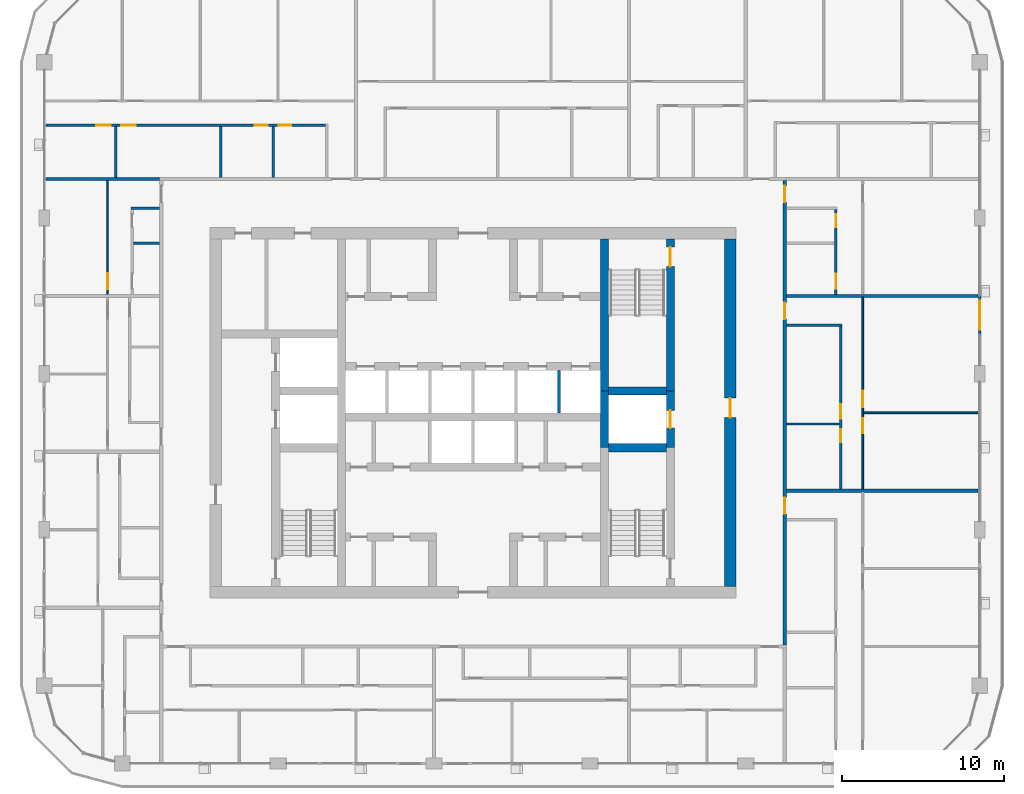
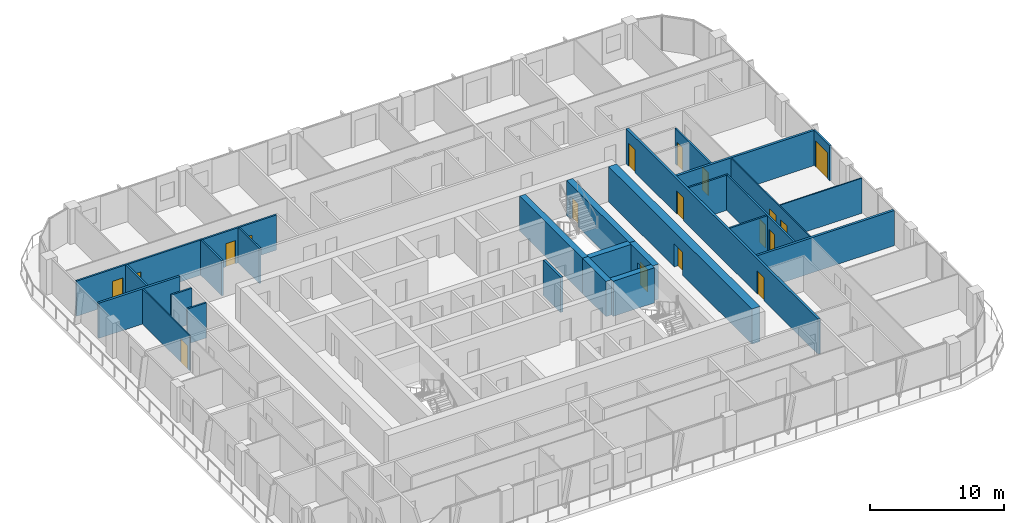
# One storey, part 13 of 23: 26 walls, 18 doors, 18 openings.
"""IFC4 building model written with IfcOpenShell, lengths in metres."""

from ifc_helpers import new_model, si_unit, direction, frame, frame_2d, origin, place, context, subcontext, project, spatial, rectangle, extrude, material, layer, layer_set, type_object, element, fill, save


model = new_model("IFC4")

# Units and contexts
model_context = context("Model", 3, precision=1e-05, world=origin(), true_north=direction((0.0, 1.0)))
body_context = subcontext(model_context, "Body", "Model", "MODEL_VIEW")
ifc_project = project(units=[si_unit("LENGTHUNIT", "METRE"), si_unit("AREAUNIT", "SQUARE_METRE"), si_unit("VOLUMEUNIT", "CUBIC_METRE"), si_unit("PLANEANGLEUNIT", "RADIAN"), si_unit("MASSUNIT", "GRAM", prefix="KILO")], contexts=[model_context])

# Site, building, storey
site_placement = place(None, origin())
site = spatial("IfcSite", under=ifc_project, at=site_placement, CompositionType="ELEMENT")
building_placement = place(site_placement, origin())
building = spatial("IfcBuilding", under=site, at=building_placement, Name="Madar Terraces", CompositionType="ELEMENT")
storey_placement = place(building_placement, frame((0.0, 0.0, 212.300048828125)))
storey = spatial("IfcBuildingStorey", under=building, at=storey_placement, Name="L55", CompositionType="ELEMENT", Elevation=212.300048828125)

# Walls
ifc_material_1 = material(Name="Concrete C60/75", Category="concrete")
ifc_layer_1 = layer(ifc_material_1, 0.5)
ifc_layer_set_1 = layer_set([ifc_layer_1], Name="Concrete C60/75 (CIW4 RC wall 500)")
wall_type_1 = type_object("IfcWallType", Name="CIW4 RC wall 500", PredefinedType="SHEAR", material=ifc_layer_set_1)
wall_1_placement = place(storey_placement, frame((39.300048828125, 24.25, 0.0), z_axis=(0.0, 0.0, 1.0), x_axis=(0.0, 1.0, 0.0)))
element("IfcWall", 1, at=wall_1_placement, inside=storey, type_object=wall_type_1, Name="CORE SHAFT WALL", PredefinedType="SHEAR", context=body_context, shape_type="SweptSolid", body=[
    extrude(rectangle(XDim=3.5, YDim=0.5, at=frame_2d((1.75, 0.0))), origin(), (0.0, 0.0, 1.0), 3.199951171875),
])
wall_2_placement = place(storey_placement, frame((39.300048828125, 27.75, 0.0), z_axis=(0.0, 0.0, 1.0), x_axis=(0.0, 1.0, 0.0)))
element("IfcWall", 2, at=wall_2_placement, inside=storey, type_object=wall_type_1, Name="CORE SHAFT WALL", PredefinedType="SHEAR", context=body_context, shape_type="SweptSolid", body=[
    extrude(rectangle(XDim=9.35009765625, YDim=0.5, at=frame_2d((4.675048828125, 0.0))), origin(), (0.0, 0.0, 1.0), 3.199951171875),
])

# Wall, opening, door
wall_3_placement = place(storey_placement, frame((43.35009765625, 24.25, 0.0), z_axis=(0.0, 0.0, 1.0), x_axis=(0.0, 1.0, 0.0)))
wall_3 = element("IfcWall", 3, at=wall_3_placement, inside=storey, type_object=wall_type_1, Name="CORE SHAFT WALL", PredefinedType="SHEAR", context=body_context, shape_type="SweptSolid", body=[
    extrude(rectangle(XDim=3.5, YDim=0.5, at=frame_2d((1.75, 0.0))), origin(), (0.0, 0.0, 1.0), 3.199951171875),
])
opening_1_placement = place(wall_3_placement, frame((1.199951171875, 0.0, 0.0)))
opening_1 = element("IfcOpeningElement", 4, at=opening_1_placement, cuts=wall_3, Name="Opening LD", PredefinedType="OPENING", context=body_context, shape_type="SweptSolid", body=[
    extrude(rectangle(XDim=1.10009765625, YDim=2.10009765625, at=frame_2d((0.550048828125, 1.050048828125))), frame((0.0, 0.260009765625, 0.0), z_axis=(0.0, -1.0, 0.0), x_axis=(1.0, 0.0, 0.0)), (0.0, 0.0, 1.0), 0.52001953125),
])
ifc_material_2 = material(Name="Stainless steel panel", Category="steel")
door_type_1 = type_object("IfcDoorType", Name="Lift landing door 1100 x 2100", OperationType="DOUBLE_DOOR_SLIDING", PredefinedType="DOOR", material=ifc_material_2)
door_1_placement = place(opening_1_placement, origin())
door_1 = element("IfcDoor", 5, at=door_1_placement, inside=storey, type_object=door_type_1, Name="LIFT LANDING DOOR", OperationType="DOUBLE_DOOR_SLIDING", OverallHeight=2.10009765625, OverallWidth=1.10009765625, PredefinedType="DOOR", context=body_context, shape_type="SweptSolid", body=[
    extrude(rectangle(XDim=1.10009765625, YDim=2.10009765625, at=frame_2d((0.550048828125, 1.050048828125))), frame((0.0, 0.02490234375, 0.0), z_axis=(0.0, -1.0, 0.0), x_axis=(1.0, 0.0, 0.0)), (0.0, 0.0, 1.0), 0.050048828125),
])
fill(opening_1, door_1)

wall_4_placement = place(storey_placement, frame((43.35009765625, 27.75, 0.0), z_axis=(0.0, 0.0, 1.0), x_axis=(0.0, 1.0, 0.0)))
wall_4 = element("IfcWall", 6, at=wall_4_placement, inside=storey, type_object=wall_type_1, Name="CORE SHAFT WALL", PredefinedType="SHEAR", context=body_context, shape_type="SweptSolid", body=[
    extrude(rectangle(XDim=9.35009765625, YDim=0.5, at=frame_2d((4.675048828125, 0.0))), origin(), (0.0, 0.0, 1.0), 3.199951171875),
])
opening_2_placement = place(wall_4_placement, frame((7.64990234375, 0.0, 0.0)))
opening_2 = element("IfcOpeningElement", 7, at=opening_2_placement, cuts=wall_4, Name="Opening SD1", PredefinedType="OPENING", context=body_context, shape_type="SweptSolid", body=[
    extrude(rectangle(XDim=1.199951171875, YDim=2.10009765625, at=frame_2d((0.60009765625, 1.050048828125))), frame((0.0, 0.260009765625, 0.0), z_axis=(0.0, -1.0, 0.0), x_axis=(1.0, 0.0, 0.0)), (0.0, 0.0, 1.0), 0.52001953125),
])
ifc_material_3 = material(Name="Steel door leaf", Category="steel")
door_type_2 = type_object("IfcDoorType", Name="Stair door 1200 x 2100", OperationType="NOTDEFINED", PredefinedType="DOOR", material=ifc_material_3)
door_2_placement = place(opening_2_placement, origin())
door_2 = element("IfcDoor", 8, at=door_2_placement, inside=storey, type_object=door_type_2, Name="STAIR DOOR", OperationType="SINGLE_SWING_LEFT", OverallHeight=2.10009765625, OverallWidth=1.199951171875, PredefinedType="DOOR", context=body_context, shape_type="SweptSolid", body=[
    extrude(rectangle(XDim=1.199951171875, YDim=2.10009765625, at=frame_2d((0.60009765625, 1.050048828125))), frame((0.0, 0.02490234375, 0.0), z_axis=(0.0, -1.0, 0.0), x_axis=(1.0, 0.0, 0.0)), (0.0, 0.0, 1.0), 0.050048828125),
])
fill(opening_2, door_2)

# Walls
for number, where, z_axis, x_axis, name in (
    (9, (39.550048828125, 24.25, 0.0), (0.0, 0.0, 1.0), (1.0, 0.0, 0.0), "CORE SHAFT WALL"),
    (10, (39.550048828125, 27.75, 0.0), (0.0, 0.0, 1.0), (1.0, 0.0, 0.0), "CORE SHAFT WALL"),
):
    element("IfcWall", number, at=place(storey_placement, frame(where, z_axis=z_axis, x_axis=x_axis)), inside=storey, type_object=wall_type_1, Name=name, PredefinedType="SHEAR", context=body_context, shape_type="SweptSolid", body=[
        extrude(rectangle(XDim=3.550048828125, YDim=0.5, at=frame_2d((1.77490234375, 0.0))), origin(), (0.0, 0.0, 1.0), 3.199951171875),
    ])

# Wall, opening, door
ifc_material_4 = material(Name="Concrete C60/75", Category="concrete")
ifc_layer_2 = layer(ifc_material_4, 0.699951171875)
ifc_layer_set_2 = layer_set([ifc_layer_2], Name="Concrete C60/75 (CRW4 RC wall 700)")
wall_type_2 = type_object("IfcWallType", Name="CRW4 RC wall 700", PredefinedType="SHEAR", material=ifc_layer_set_2)
wall_5_placement = place(storey_placement, frame((47.050048828125, 15.699951171875, 0.0), z_axis=(0.0, 0.0, 1.0), x_axis=(0.0, 1.0, 0.0)))
wall_5 = element("IfcWall", 11, at=wall_5_placement, inside=storey, type_object=wall_type_2, Name="CORE OUTER WALL", PredefinedType="SHEAR", context=body_context, shape_type="SweptSolid", body=[
    extrude(rectangle(XDim=21.400146484375, YDim=0.699951171875, at=frame_2d((10.7001953125, 0.0))), origin(), (0.0, 0.0, 1.0), 3.199951171875),
])
opening_3_placement = place(wall_5_placement, frame((10.39990234375, 0.0, 0.0)))
opening_3 = element("IfcOpeningElement", 12, at=opening_3_placement, cuts=wall_5, Name="Opening SD1", PredefinedType="OPENING", context=body_context, shape_type="SweptSolid", body=[
    extrude(rectangle(XDim=1.199951171875, YDim=2.10009765625, at=frame_2d((0.60009765625, 1.050048828125))), frame((0.0, 0.35986328125, 0.0), z_axis=(0.0, -1.0, 0.0), x_axis=(1.0, 0.0, 0.0)), (0.0, 0.0, 1.0), 0.719970703125),
])
door_3_placement = place(opening_3_placement, origin())
door_3 = element("IfcDoor", 13, at=door_3_placement, inside=storey, type_object=door_type_2, Name="STAIR DOOR", OperationType="SINGLE_SWING_LEFT", OverallHeight=2.10009765625, OverallWidth=1.199951171875, PredefinedType="DOOR", context=body_context, shape_type="SweptSolid", body=[
    extrude(rectangle(XDim=1.199951171875, YDim=2.10009765625, at=frame_2d((0.60009765625, 1.050048828125))), frame((0.0, 0.02490234375, 0.0), z_axis=(0.0, -1.0, 0.0), x_axis=(1.0, 0.0, 0.0)), (0.0, 0.0, 1.0), 0.050048828125),
])
fill(opening_3, door_3)

# Wall
ifc_material_5 = material(Name="Concrete C40/50", Category="concrete")
ifc_layer_3 = layer(ifc_material_5, 0.199951171875)
ifc_layer_set_3 = layer_set([ifc_layer_3], Name="Core shaft dividing wall 200 C40/50")
wall_type_3 = type_object("IfcWallType", Name="Core shaft dividing wall 200 C40/50", PredefinedType="SOLIDWALL", material=ifc_layer_set_3)
wall_6_placement = place(storey_placement, frame((36.5, 26.39990234375, 0.0), z_axis=(0.0, 0.0, 1.0), x_axis=(0.0, 1.0, 0.0)))
element("IfcWall", 14, at=wall_6_placement, inside=storey, type_object=wall_type_3, Name="SHAFT DIVIDING WALL", PredefinedType="SOLIDWALL", context=body_context, shape_type="SweptSolid", body=[
    extrude(rectangle(XDim=2.60009765625, YDim=0.199951171875, at=frame_2d((1.300048828125, 0.0))), origin(), (0.0, 0.0, 1.0), 3.199951171875),
])

# Wall, opening, door
ifc_material_6 = material(Name="Aluminium composite panel, black, over insulated backing", Category="aluminium")
ifc_layer_4 = layer(ifc_material_6, 0.14990234375)
ifc_layer_set_4 = layer_set([ifc_layer_4], Name="Facade bay panel 150")
wall_type_4 = type_object("IfcWallType", Name="Facade bay panel 150", PredefinedType="SOLIDWALL", material=ifc_layer_set_4)
wall_7_placement = place(storey_placement, frame((62.39990234375, 31.199951171875, 0.0), z_axis=(0.0, 0.0, 1.0), x_axis=(0.0, 1.0, 0.0)))
wall_7 = element("IfcWall", 15, at=wall_7_placement, inside=storey, type_object=wall_type_4, Name="Facade bay panel", PredefinedType="SOLIDWALL", context=body_context, shape_type="SweptSolid", body=[
    extrude(rectangle(XDim=2.400146484375, YDim=0.14990234375, at=frame_2d((1.2001953125, 0.0))), origin(), (0.0, 0.0, 1.0), 3.199951171875),
])
opening_4_placement = place(wall_7_placement, frame((0.300048828125, 0.0, 0.0)))
opening_4 = element("IfcOpeningElement", 16, at=opening_4_placement, cuts=wall_7, Name="Opening ED1", PredefinedType="OPENING", context=body_context, shape_type="SweptSolid", body=[
    extrude(rectangle(XDim=1.800048828125, YDim=2.39990234375, at=frame_2d((0.89990234375, 1.199951171875))), frame((0.0, 0.0849609375, 0.0), z_axis=(0.0, -1.0, 0.0), x_axis=(1.0, 0.0, 0.0)), (0.0, 0.0, 1.0), 0.169921875),
])
ifc_material_7 = material(Name="Glass, clear, with black aluminium frame", Category="aluminium")
door_type_3 = type_object("IfcDoorType", Name="Balcony and terrace sliding door 1800 x 2400", OperationType="SLIDING_TO_LEFT", PredefinedType="DOOR", material=ifc_material_7)
door_4_placement = place(opening_4_placement, origin())
door_4 = element("IfcDoor", 17, at=door_4_placement, inside=storey, type_object=door_type_3, Name="Balcony door", OperationType="SLIDING_TO_RIGHT", OverallHeight=2.39990234375, OverallWidth=1.800048828125, PredefinedType="DOOR", context=body_context, shape_type="SweptSolid", body=[
    extrude(rectangle(XDim=1.800048828125, YDim=2.39990234375, at=frame_2d((0.89990234375, 1.199951171875))), frame((0.0, 0.02490234375, 0.0), z_axis=(0.0, -1.0, 0.0), x_axis=(1.0, 0.0, 0.0)), (0.0, 0.0, 1.0), 0.050048828125),
])
fill(opening_4, door_4)

# Wall
ifc_material_8 = material(Name="Gypsum board on steel studs", Category="steel")
ifc_layer_5 = layer(ifc_material_8, 0.10009765625)
ifc_layer_set_5 = layer_set([ifc_layer_5], Name="Flat partition 100")
wall_type_5 = type_object("IfcWallType", Name="Flat partition 100", PredefinedType="PARTITIONING", material=ifc_layer_set_5)
wall_8_placement = place(storey_placement, frame((55.25, 26.39990234375, 0.0), z_axis=(0.0, 0.0, 1.0), x_axis=(1.0, 0.0, 0.0)))
element("IfcWall", 18, at=wall_8_placement, inside=storey, type_object=wall_type_5, Name="Flat partition 100", PredefinedType="PARTITIONING", context=body_context, shape_type="SweptSolid", body=[
    extrude(rectangle(XDim=7.050048828125, YDim=0.10009765625, at=frame_2d((3.52490234375, 0.0))), origin(), (0.0, 0.0, 1.0), 3.199951171875),
])

# Wall, openings, doors
wall_9_placement = place(storey_placement, frame((55.199951171875, 33.5, 0.0), z_axis=(0.0, 0.0, 1.0), x_axis=(0.0, -1.0, 0.0)))
wall_9 = element("IfcWall", 19, at=wall_9_placement, inside=storey, type_object=wall_type_5, Name="Flat partition 100", PredefinedType="PARTITIONING", context=body_context, shape_type="SweptSolid", body=[
    extrude(rectangle(XDim=11.800048828125, YDim=0.10009765625, at=frame_2d((5.89990234375, 0.0))), origin(), (0.0, 0.0, 1.0), 3.199951171875),
])
opening_5_placement = place(wall_9_placement, frame((5.75, 0.0, 0.0)))
opening_5 = element("IfcOpeningElement", 20, at=opening_5_placement, cuts=wall_9, Name="Opening D3", PredefinedType="OPENING", context=body_context, shape_type="SweptSolid", body=[
    extrude(rectangle(XDim=1.0, YDim=2.10009765625, at=frame_2d((0.5, 1.050048828125))), frame((0.0, 0.06005859375, 0.0), z_axis=(0.0, -1.0, 0.0), x_axis=(1.0, 0.0, 0.0)), (0.0, 0.0, 1.0), 0.1201171875),
])
opening_6_placement = place(wall_9_placement, frame((7.449951171875, 0.0, 0.0)))
opening_6 = element("IfcOpeningElement", 21, at=opening_6_placement, cuts=wall_9, Name="Opening D2", PredefinedType="OPENING", context=body_context, shape_type="SweptSolid", body=[
    extrude(rectangle(XDim=0.89990234375, YDim=2.10009765625, at=frame_2d((0.449951171875, 1.050048828125))), frame((0.0, 0.06005859375, 0.0), z_axis=(0.0, -1.0, 0.0), x_axis=(1.0, 0.0, 0.0)), (0.0, 0.0, 1.0), 0.1201171875),
])
ifc_material_9 = material(Name="Timber door leaf", Category="wood")
door_type_4 = type_object("IfcDoorType", Name="Flat living room door 1000", OperationType="NOTDEFINED", PredefinedType="DOOR", material=ifc_material_9)
door_5_placement = place(opening_5_placement, origin())
door_5 = element("IfcDoor", 22, at=door_5_placement, inside=storey, type_object=door_type_4, Name="Flat living room door 1000", OperationType="SINGLE_SWING_RIGHT", OverallHeight=2.10009765625, OverallWidth=1.0, PredefinedType="DOOR", context=body_context, shape_type="SweptSolid", body=[
    extrude(rectangle(XDim=1.0, YDim=2.10009765625, at=frame_2d((0.5, 1.050048828125))), frame((0.0, 0.02490234375, 0.0), z_axis=(0.0, -1.0, 0.0), x_axis=(1.0, 0.0, 0.0)), (0.0, 0.0, 1.0), 0.050048828125),
])
fill(opening_5, door_5)
ifc_material_10 = material(Name="Timber door leaf", Category="wood")
door_type_5 = type_object("IfcDoorType", Name="Flat room door 900", OperationType="NOTDEFINED", PredefinedType="DOOR", material=ifc_material_10)
door_6_placement = place(opening_6_placement, origin())
door_6 = element("IfcDoor", 23, at=door_6_placement, inside=storey, type_object=door_type_5, Name="Flat room door 900", OperationType="SINGLE_SWING_LEFT", OverallHeight=2.10009765625, OverallWidth=0.89990234375, PredefinedType="DOOR", context=body_context, shape_type="SweptSolid", body=[
    extrude(rectangle(XDim=0.89990234375, YDim=2.10009765625, at=frame_2d((0.449951171875, 1.050048828125))), frame((0.0, 0.02490234375, 0.0), z_axis=(0.0, -1.0, 0.0), x_axis=(1.0, 0.0, 0.0)), (0.0, 0.0, 1.0), 0.050048828125),
])
fill(opening_6, door_6)

# Wall, opening, door
wall_10_placement = place(storey_placement, frame((8.699951171875, 33.699951171875, 0.0), z_axis=(0.0, 0.0, 1.0), x_axis=(0.0, 1.0, 0.0)))
wall_10 = element("IfcWall", 24, at=wall_10_placement, inside=storey, type_object=wall_type_5, Name="Flat partition 100", PredefinedType="PARTITIONING", context=body_context, shape_type="SweptSolid", body=[
    extrude(rectangle(XDim=7.0, YDim=0.10009765625, at=frame_2d((3.5, 0.0))), origin(), (0.0, 0.0, 1.0), 3.199951171875),
])
opening_7_placement = place(wall_10_placement, frame((0.300048828125, 0.0, 0.0)))
opening_7 = element("IfcOpeningElement", 25, at=opening_7_placement, cuts=wall_10, Name="Opening D3", PredefinedType="OPENING", context=body_context, shape_type="SweptSolid", body=[
    extrude(rectangle(XDim=1.0, YDim=2.10009765625, at=frame_2d((0.5, 1.050048828125))), frame((0.0, 0.06005859375, 0.0), z_axis=(0.0, -1.0, 0.0), x_axis=(1.0, 0.0, 0.0)), (0.0, 0.0, 1.0), 0.1201171875),
])
door_7_placement = place(opening_7_placement, origin())
door_7 = element("IfcDoor", 26, at=door_7_placement, inside=storey, type_object=door_type_4, Name="Flat living room door 1000", OperationType="SINGLE_SWING_LEFT", OverallHeight=2.10009765625, OverallWidth=1.0, PredefinedType="DOOR", context=body_context, shape_type="SweptSolid", body=[
    extrude(rectangle(XDim=1.0, YDim=2.10009765625, at=frame_2d((0.5, 1.050048828125))), frame((0.0, 0.02490234375, 0.0), z_axis=(0.0, -1.0, 0.0), x_axis=(1.0, 0.0, 0.0)), (0.0, 0.0, 1.0), 0.050048828125),
])
fill(opening_7, door_7)

# Wall, openings, doors
ifc_material_11 = material(Name="Lightweight blockwork", Category="masonry")
ifc_layer_6 = layer(ifc_material_11, 0.199951171875)
ifc_layer_set_6 = layer_set([ifc_layer_6], Name="Flat party and entrance wall 200")
wall_type_6 = type_object("IfcWallType", Name="Flat party and entrance wall 200", PredefinedType="PARTITIONING", material=ifc_layer_set_6)
wall_11_placement = place(storey_placement, frame((50.39990234375, 40.699951171875, 0.0), z_axis=(0.0, 0.0, 1.0), x_axis=(0.0, -1.0, 0.0)))
wall_11 = element("IfcWall", 27, at=wall_11_placement, inside=storey, type_object=wall_type_6, Name="Flat party and entrance wall 200", PredefinedType="PARTITIONING", context=body_context, shape_type="SweptSolid", body=[
    extrude(rectangle(XDim=28.599853515625, YDim=0.199951171875, at=frame_2d((14.2998046875, 0.0))), origin(), (0.0, 0.0, 1.0), 3.199951171875),
])
opening_8_placement = place(wall_11_placement, frame((19.52490234375, 0.0, 0.0)))
opening_8 = element("IfcOpeningElement", 28, at=opening_8_placement, cuts=wall_11, Name="Opening D1", PredefinedType="OPENING", context=body_context, shape_type="SweptSolid", body=[
    extrude(rectangle(XDim=1.0, YDim=2.10009765625, at=frame_2d((0.5, 1.050048828125))), frame((0.0, 0.10986328125, 0.0), z_axis=(0.0, -1.0, 0.0), x_axis=(1.0, 0.0, 0.0)), (0.0, 0.0, 1.0), 0.219970703125),
])
opening_9_placement = place(wall_11_placement, frame((7.52490234375, 0.0, 0.0)))
opening_9 = element("IfcOpeningElement", 29, at=opening_9_placement, cuts=wall_11, Name="Opening D1", PredefinedType="OPENING", context=body_context, shape_type="SweptSolid", body=[
    extrude(rectangle(XDim=1.0, YDim=2.10009765625, at=frame_2d((0.5, 1.050048828125))), frame((0.0, 0.10986328125, 0.0), z_axis=(0.0, -1.0, 0.0), x_axis=(1.0, 0.0, 0.0)), (0.0, 0.0, 1.0), 0.219970703125),
])
opening_10_placement = place(wall_11_placement, frame((0.324951171875, 0.0, 0.0)))
opening_10 = element("IfcOpeningElement", 30, at=opening_10_placement, cuts=wall_11, Name="Opening D1", PredefinedType="OPENING", context=body_context, shape_type="SweptSolid", body=[
    extrude(rectangle(XDim=1.0, YDim=2.10009765625, at=frame_2d((0.5, 1.050048828125))), frame((0.0, 0.10986328125, 0.0), z_axis=(0.0, -1.0, 0.0), x_axis=(1.0, 0.0, 0.0)), (0.0, 0.0, 1.0), 0.219970703125),
])
ifc_material_12 = material(Name="Timber fire door leaf", Category="wood")
door_type_6 = type_object("IfcDoorType", Name="Flat entrance door 1000 FD30S", OperationType="NOTDEFINED", PredefinedType="DOOR", material=ifc_material_12)
door_8_placement = place(opening_8_placement, origin())
door_8 = element("IfcDoor", 31, at=door_8_placement, inside=storey, type_object=door_type_6, Name="Flat entrance door 1000 FD30S", OperationType="SINGLE_SWING_LEFT", OverallHeight=2.10009765625, OverallWidth=1.0, PredefinedType="DOOR", context=body_context, shape_type="SweptSolid", body=[
    extrude(rectangle(XDim=1.0, YDim=2.10009765625, at=frame_2d((0.5, 1.050048828125))), frame((0.0, 0.02490234375, 0.0), z_axis=(0.0, -1.0, 0.0), x_axis=(1.0, 0.0, 0.0)), (0.0, 0.0, 1.0), 0.050048828125),
])
fill(opening_8, door_8)
door_9_placement = place(opening_9_placement, origin())
door_9 = element("IfcDoor", 32, at=door_9_placement, inside=storey, type_object=door_type_6, Name="Flat entrance door 1000 FD30S", OperationType="SINGLE_SWING_LEFT", OverallHeight=2.10009765625, OverallWidth=1.0, PredefinedType="DOOR", context=body_context, shape_type="SweptSolid", body=[
    extrude(rectangle(XDim=1.0, YDim=2.10009765625, at=frame_2d((0.5, 1.050048828125))), frame((0.0, 0.02490234375, 0.0), z_axis=(0.0, -1.0, 0.0), x_axis=(1.0, 0.0, 0.0)), (0.0, 0.0, 1.0), 0.050048828125),
])
fill(opening_9, door_9)
door_10_placement = place(opening_10_placement, origin())
door_10 = element("IfcDoor", 33, at=door_10_placement, inside=storey, type_object=door_type_6, Name="Flat entrance door 1000 FD30S", OperationType="SINGLE_SWING_LEFT", OverallHeight=2.10009765625, OverallWidth=1.0, PredefinedType="DOOR", context=body_context, shape_type="SweptSolid", body=[
    extrude(rectangle(XDim=1.0, YDim=2.10009765625, at=frame_2d((0.5, 1.050048828125))), frame((0.0, 0.02490234375, 0.0), z_axis=(0.0, -1.0, 0.0), x_axis=(1.0, 0.0, 0.0)), (0.0, 0.0, 1.0), 0.050048828125),
])
fill(opening_10, door_10)

# Walls
for number, where, z_axis, x_axis, name in (
    (34, (50.5, 21.60009765625, 0.0), (0.0, 0.0, 1.0), (1.0, 0.0, 0.0), "Flat party and entrance wall 200"),
    (35, (50.5, 33.60009765625, 0.0), (0.0, 0.0, 1.0), (1.0, 0.0, 0.0), "Flat party and entrance wall 200"),
):
    element("IfcWall", number, at=place(storey_placement, frame(where, z_axis=z_axis, x_axis=x_axis)), inside=storey, type_object=wall_type_6, Name=name, PredefinedType="PARTITIONING", context=body_context, shape_type="SweptSolid", body=[
        extrude(rectangle(XDim=11.800048828125, YDim=0.199951171875, at=frame_2d((5.89990234375, 0.0))), origin(), (0.0, 0.0, 1.0), 3.199951171875),
    ])
wall_12_placement = place(storey_placement, frame((4.89990234375, 40.800048828125, 0.0), z_axis=(0.0, 0.0, 1.0), x_axis=(1.0, 0.0, 0.0)))
element("IfcWall", 36, at=wall_12_placement, inside=storey, type_object=wall_type_6, Name="Flat party and entrance wall 200", PredefinedType="PARTITIONING", context=body_context, shape_type="SweptSolid", body=[
    extrude(rectangle(XDim=7.0, YDim=0.199951171875, at=frame_2d((3.5, 0.0))), origin(), (0.0, 0.0, 1.0), 3.199951171875),
])
ifc_material_13 = material(Name="Lightweight blockwork", Category="masonry")
ifc_layer_7 = layer(ifc_material_13, 0.14990234375)
ifc_layer_set_7 = layer_set([ifc_layer_7], Name="Flat wet-room partition 150")
wall_type_7 = type_object("IfcWallType", Name="Flat wet-room partition 150", PredefinedType="PARTITIONING", material=ifc_layer_set_7)
wall_13_placement = place(storey_placement, frame((50.5, 25.7099609375, 0.0), z_axis=(0.0, 0.0, 1.0), x_axis=(1.0, 0.0, 0.0)))
element("IfcWall", 37, at=wall_13_placement, inside=storey, type_object=wall_type_7, Name="Flat wet-room partition 150", PredefinedType="PARTITIONING", context=body_context, shape_type="SweptSolid", body=[
    extrude(rectangle(XDim=3.27490234375, YDim=0.14990234375, at=frame_2d((1.637451171875, 0.0))), origin(), (0.0, 0.0, 1.0), 3.199951171875),
])
wall_14_placement = place(storey_placement, frame((50.5, 31.800048828125, 0.0), z_axis=(0.0, 0.0, 1.0), x_axis=(1.0, 0.0, 0.0)))
element("IfcWall", 38, at=wall_14_placement, inside=storey, type_object=wall_type_7, Name="Flat wet-room partition 150", PredefinedType="PARTITIONING", context=body_context, shape_type="SweptSolid", body=[
    extrude(rectangle(XDim=3.425048828125, YDim=0.14990234375, at=frame_2d((1.71240234375, 0.0))), origin(), (0.0, 0.0, 1.0), 3.199951171875),
])

# Wall, openings, doors
wall_15_placement = place(storey_placement, frame((53.85009765625, 21.699951171875, 0.0), z_axis=(0.0, 0.0, 1.0), x_axis=(0.0, 1.0, 0.0)))
wall_15 = element("IfcWall", 39, at=wall_15_placement, inside=storey, type_object=wall_type_7, Name="Flat wet-room partition 150", PredefinedType="PARTITIONING", context=body_context, shape_type="SweptSolid", body=[
    extrude(rectangle(XDim=10.025146484375, YDim=0.14990234375, at=frame_2d((5.0126953125, 0.0))), origin(), (0.0, 0.0, 1.0), 3.199951171875),
])
opening_11_placement = place(wall_15_placement, frame((4.3349609375, 0.0, 0.0)))
opening_11 = element("IfcOpeningElement", 40, at=opening_11_placement, cuts=wall_15, Name="Opening D2", PredefinedType="OPENING", context=body_context, shape_type="SweptSolid", body=[
    extrude(rectangle(XDim=0.89990234375, YDim=2.10009765625, at=frame_2d((0.449951171875, 1.050048828125))), frame((0.0, 0.0849609375, 0.0), z_axis=(0.0, -1.0, 0.0), x_axis=(1.0, 0.0, 0.0)), (0.0, 0.0, 1.0), 0.169921875),
])
opening_12_placement = place(wall_15_placement, frame((2.885009765625, 0.0, 0.0)))
opening_12 = element("IfcOpeningElement", 41, at=opening_12_placement, cuts=wall_15, Name="Opening D4", PredefinedType="OPENING", context=body_context, shape_type="SweptSolid", body=[
    extrude(rectangle(XDim=0.800048828125, YDim=2.10009765625, at=frame_2d((0.39990234375, 1.050048828125))), frame((0.0, 0.0849609375, 0.0), z_axis=(0.0, -1.0, 0.0), x_axis=(1.0, 0.0, 0.0)), (0.0, 0.0, 1.0), 0.169921875),
])
ifc_material_14 = material(Name="Timber door leaf", Category="wood")
door_type_7 = type_object("IfcDoorType", Name="Flat bathroom door 800", OperationType="NOTDEFINED", PredefinedType="DOOR", material=ifc_material_14)
door_11_placement = place(opening_12_placement, origin())
door_11 = element("IfcDoor", 42, at=door_11_placement, inside=storey, type_object=door_type_7, Name="Flat bathroom door 800", OperationType="SINGLE_SWING_RIGHT", OverallHeight=2.10009765625, OverallWidth=0.800048828125, PredefinedType="DOOR", context=body_context, shape_type="SweptSolid", body=[
    extrude(rectangle(XDim=0.800048828125, YDim=2.10009765625, at=frame_2d((0.39990234375, 1.050048828125))), frame((0.0, 0.02490234375, 0.0), z_axis=(0.0, -1.0, 0.0), x_axis=(1.0, 0.0, 0.0)), (0.0, 0.0, 1.0), 0.050048828125),
])
fill(opening_12, door_11)
door_12_placement = place(opening_11_placement, origin())
door_12 = element("IfcDoor", 43, at=door_12_placement, inside=storey, type_object=door_type_5, Name="Flat room door 900", OperationType="SINGLE_SWING_LEFT", OverallHeight=2.10009765625, OverallWidth=0.89990234375, PredefinedType="DOOR", context=body_context, shape_type="SweptSolid", body=[
    extrude(rectangle(XDim=0.89990234375, YDim=2.10009765625, at=frame_2d((0.449951171875, 1.050048828125))), frame((0.0, 0.02490234375, 0.0), z_axis=(0.0, -1.0, 0.0), x_axis=(1.0, 0.0, 0.0)), (0.0, 0.0, 1.0), 0.050048828125),
])
fill(opening_11, door_12)

wall_16_placement = place(storey_placement, frame((53.550048828125, 33.699951171875, 0.0), z_axis=(0.0, 0.0, 1.0), x_axis=(0.0, 1.0, 0.0)))
wall_16 = element("IfcWall", 44, at=wall_16_placement, inside=storey, type_object=wall_type_7, Name="Flat wet-room partition 150", PredefinedType="PARTITIONING", context=body_context, shape_type="SweptSolid", body=[
    extrude(rectangle(XDim=5.22509765625, YDim=0.14990234375, at=frame_2d((2.612548828125, 0.0))), origin(), (0.0, 0.0, 1.0), 3.199951171875),
])
opening_13_placement = place(wall_16_placement, frame((4.125, 0.0, 0.0)))
opening_13 = element("IfcOpeningElement", 45, at=opening_13_placement, cuts=wall_16, Name="Opening D4", PredefinedType="OPENING", context=body_context, shape_type="SweptSolid", body=[
    extrude(rectangle(XDim=0.800048828125, YDim=2.10009765625, at=frame_2d((0.39990234375, 1.050048828125))), frame((0.0, 0.0849609375, 0.0), z_axis=(0.0, -1.0, 0.0), x_axis=(1.0, 0.0, 0.0)), (0.0, 0.0, 1.0), 0.169921875),
])
opening_14_placement = place(wall_16_placement, frame((0.35009765625, 0.0, 0.0)))
opening_14 = element("IfcOpeningElement", 46, at=opening_14_placement, cuts=wall_16, Name="Opening D2", PredefinedType="OPENING", context=body_context, shape_type="SweptSolid", body=[
    extrude(rectangle(XDim=0.89990234375, YDim=2.10009765625, at=frame_2d((0.449951171875, 1.050048828125))), frame((0.0, 0.0849609375, 0.0), z_axis=(0.0, -1.0, 0.0), x_axis=(1.0, 0.0, 0.0)), (0.0, 0.0, 1.0), 0.169921875),
])
door_13_placement = place(opening_13_placement, origin())
door_13 = element("IfcDoor", 47, at=door_13_placement, inside=storey, type_object=door_type_7, Name="Flat bathroom door 800", OperationType="SINGLE_SWING_RIGHT", OverallHeight=2.10009765625, OverallWidth=0.800048828125, PredefinedType="DOOR", context=body_context, shape_type="SweptSolid", body=[
    extrude(rectangle(XDim=0.800048828125, YDim=2.10009765625, at=frame_2d((0.39990234375, 1.050048828125))), frame((0.0, 0.02490234375, 0.0), z_axis=(0.0, -1.0, 0.0), x_axis=(1.0, 0.0, 0.0)), (0.0, 0.0, 1.0), 0.050048828125),
])
fill(opening_13, door_13)
door_14_placement = place(opening_14_placement, origin())
door_14 = element("IfcDoor", 48, at=door_14_placement, inside=storey, type_object=door_type_5, Name="Flat room door 900", OperationType="SINGLE_SWING_LEFT", OverallHeight=2.10009765625, OverallWidth=0.89990234375, PredefinedType="DOOR", context=body_context, shape_type="SweptSolid", body=[
    extrude(rectangle(XDim=0.89990234375, YDim=2.10009765625, at=frame_2d((0.449951171875, 1.050048828125))), frame((0.0, 0.02490234375, 0.0), z_axis=(0.0, -1.0, 0.0), x_axis=(1.0, 0.0, 0.0)), (0.0, 0.0, 1.0), 0.050048828125),
])
fill(opening_14, door_14)

# Walls
for number, where, z_axis, x_axis, name in (
    (49, (18.895263671875, 40.89990234375, 0.0), (0.0, 0.0, 1.0), (0.0, 1.0, 0.0), "Flat wet-room partition 150"),
    (50, (15.66552734375, 40.89990234375, 0.0), (0.0, 0.0, 1.0), (0.0, 1.0, 0.0), "Flat wet-room partition 150"),
    (51, (9.206298828125, 40.89990234375, 0.0), (0.0, 0.0, 1.0), (0.0, 1.0, 0.0), "Flat wet-room partition 150"),
):
    element("IfcWall", number, at=place(storey_placement, frame(where, z_axis=z_axis, x_axis=x_axis)), inside=storey, type_object=wall_type_7, Name=name, PredefinedType="PARTITIONING", context=body_context, shape_type="SweptSolid", body=[
        extrude(rectangle(XDim=3.125, YDim=0.14990234375, at=frame_2d((1.5625, 0.0))), origin(), (0.0, 0.0, 1.0), 3.199951171875),
    ])

# Wall, openings, doors
wall_17_placement = place(storey_placement, frame((22.125, 44.10009765625, 0.0), z_axis=(0.0, 0.0, 1.0), x_axis=(-1.0, 0.0, 0.0)))
wall_17 = element("IfcWall", 52, at=wall_17_placement, inside=storey, type_object=wall_type_7, Name="Flat wet-room partition 150", PredefinedType="PARTITIONING", context=body_context, shape_type="SweptSolid", body=[
    extrude(rectangle(XDim=17.22509765625, YDim=0.14990234375, at=frame_2d((8.612548828125, 0.0))), origin(), (0.0, 0.0, 1.0), 3.199951171875),
])
opening_15_placement = place(wall_17_placement, frame((2.104736328125, 0.0, 0.0)))
opening_15 = element("IfcOpeningElement", 53, at=opening_15_placement, cuts=wall_17, Name="Opening D4", PredefinedType="OPENING", context=body_context, shape_type="SweptSolid", body=[
    extrude(rectangle(XDim=0.800048828125, YDim=2.10009765625, at=frame_2d((0.39990234375, 1.050048828125))), frame((0.0, 0.0849609375, 0.0), z_axis=(0.0, -1.0, 0.0), x_axis=(1.0, 0.0, 0.0)), (0.0, 0.0, 1.0), 0.169921875),
])
opening_16_placement = place(wall_17_placement, frame((3.5546875, 0.0, 0.0)))
opening_16 = element("IfcOpeningElement", 54, at=opening_16_placement, cuts=wall_17, Name="Opening D7", PredefinedType="OPENING", context=body_context, shape_type="SweptSolid", body=[
    extrude(rectangle(XDim=0.800048828125, YDim=2.10009765625, at=frame_2d((0.39990234375, 1.050048828125))), frame((0.0, 0.0849609375, 0.0), z_axis=(0.0, -1.0, 0.0), x_axis=(1.0, 0.0, 0.0)), (0.0, 0.0, 1.0), 0.169921875),
])
opening_17_placement = place(wall_17_placement, frame((11.69384765625, 0.0, 0.0)))
opening_17 = element("IfcOpeningElement", 55, at=opening_17_placement, cuts=wall_17, Name="Opening D2", PredefinedType="OPENING", context=body_context, shape_type="SweptSolid", body=[
    extrude(rectangle(XDim=0.89990234375, YDim=2.10009765625, at=frame_2d((0.449951171875, 1.050048828125))), frame((0.0, 0.0849609375, 0.0), z_axis=(0.0, -1.0, 0.0), x_axis=(1.0, 0.0, 0.0)), (0.0, 0.0, 1.0), 0.169921875),
])
opening_18_placement = place(wall_17_placement, frame((13.243896484375, 0.0, 0.0)))
opening_18 = element("IfcOpeningElement", 56, at=opening_18_placement, cuts=wall_17, Name="Opening D5", PredefinedType="OPENING", context=body_context, shape_type="SweptSolid", body=[
    extrude(rectangle(XDim=0.89990234375, YDim=2.10009765625, at=frame_2d((0.449951171875, 1.050048828125))), frame((0.0, 0.0849609375, 0.0), z_axis=(0.0, -1.0, 0.0), x_axis=(1.0, 0.0, 0.0)), (0.0, 0.0, 1.0), 0.169921875),
])
ifc_material_15 = material(Name="Timber door leaf", Category="wood")
door_type_8 = type_object("IfcDoorType", Name="Flat accessible bathroom door 900", OperationType="NOTDEFINED", PredefinedType="DOOR", material=ifc_material_15)
door_15_placement = place(opening_18_placement, origin())
door_15 = element("IfcDoor", 57, at=door_15_placement, inside=storey, type_object=door_type_8, Name="Flat accessible bathroom door 900", OperationType="SINGLE_SWING_LEFT", OverallHeight=2.10009765625, OverallWidth=0.89990234375, PredefinedType="DOOR", context=body_context, shape_type="SweptSolid", body=[
    extrude(rectangle(XDim=0.89990234375, YDim=2.10009765625, at=frame_2d((0.449951171875, 1.050048828125))), frame((0.0, 0.02490234375, 0.0), z_axis=(0.0, -1.0, 0.0), x_axis=(1.0, 0.0, 0.0)), (0.0, 0.0, 1.0), 0.050048828125),
])
fill(opening_18, door_15)
door_16_placement = place(opening_15_placement, origin())
door_16 = element("IfcDoor", 58, at=door_16_placement, inside=storey, type_object=door_type_7, Name="Flat bathroom door 800", OperationType="SINGLE_SWING_RIGHT", OverallHeight=2.10009765625, OverallWidth=0.800048828125, PredefinedType="DOOR", context=body_context, shape_type="SweptSolid", body=[
    extrude(rectangle(XDim=0.800048828125, YDim=2.10009765625, at=frame_2d((0.39990234375, 1.050048828125))), frame((0.0, 0.02490234375, 0.0), z_axis=(0.0, -1.0, 0.0), x_axis=(1.0, 0.0, 0.0)), (0.0, 0.0, 1.0), 0.050048828125),
])
fill(opening_15, door_16)
door_17_placement = place(opening_17_placement, origin())
door_17 = element("IfcDoor", 59, at=door_17_placement, inside=storey, type_object=door_type_5, Name="Flat room door 900", OperationType="SINGLE_SWING_RIGHT", OverallHeight=2.10009765625, OverallWidth=0.89990234375, PredefinedType="DOOR", context=body_context, shape_type="SweptSolid", body=[
    extrude(rectangle(XDim=0.89990234375, YDim=2.10009765625, at=frame_2d((0.449951171875, 1.050048828125))), frame((0.0, 0.02490234375, 0.0), z_axis=(0.0, -1.0, 0.0), x_axis=(1.0, 0.0, 0.0)), (0.0, 0.0, 1.0), 0.050048828125),
])
fill(opening_17, door_17)
ifc_material_16 = material(Name="Timber door leaf", Category="wood")
door_type_9 = type_object("IfcDoorType", Name="Flat utility door 800", OperationType="NOTDEFINED", PredefinedType="DOOR", material=ifc_material_16)
door_18_placement = place(opening_16_placement, origin())
door_18 = element("IfcDoor", 60, at=door_18_placement, inside=storey, type_object=door_type_9, Name="Flat utility door 800", OperationType="SINGLE_SWING_LEFT", OverallHeight=2.10009765625, OverallWidth=0.800048828125, PredefinedType="DOOR", context=body_context, shape_type="SweptSolid", body=[
    extrude(rectangle(XDim=0.800048828125, YDim=2.10009765625, at=frame_2d((0.39990234375, 1.050048828125))), frame((0.0, 0.02490234375, 0.0), z_axis=(0.0, -1.0, 0.0), x_axis=(1.0, 0.0, 0.0)), (0.0, 0.0, 1.0), 0.050048828125),
])
fill(opening_16, door_18)

# Walls
wall_18_placement = place(storey_placement, frame((11.89990234375, 36.8349609375, 0.0), z_axis=(0.0, 0.0, 1.0), x_axis=(-1.0, 0.0, 0.0)))
element("IfcWall", 61, at=wall_18_placement, inside=storey, type_object=wall_type_7, Name="Flat wet-room partition 150", PredefinedType="PARTITIONING", context=body_context, shape_type="SweptSolid", body=[
    extrude(rectangle(XDim=1.625, YDim=0.14990234375, at=frame_2d((0.8125, 0.0))), origin(), (0.0, 0.0, 1.0), 3.199951171875),
])
wall_19_placement = place(storey_placement, frame((11.89990234375, 39.0, 0.0), z_axis=(0.0, 0.0, 1.0), x_axis=(-1.0, 0.0, 0.0)))
element("IfcWall", 62, at=wall_19_placement, inside=storey, type_object=wall_type_7, Name="Flat wet-room partition 150", PredefinedType="PARTITIONING", context=body_context, shape_type="SweptSolid", body=[
    extrude(rectangle(XDim=1.77490234375, YDim=0.14990234375, at=frame_2d((0.887451171875, 0.0))), origin(), (0.0, 0.0, 1.0), 3.199951171875),
])

save(model, "model.ifc")
